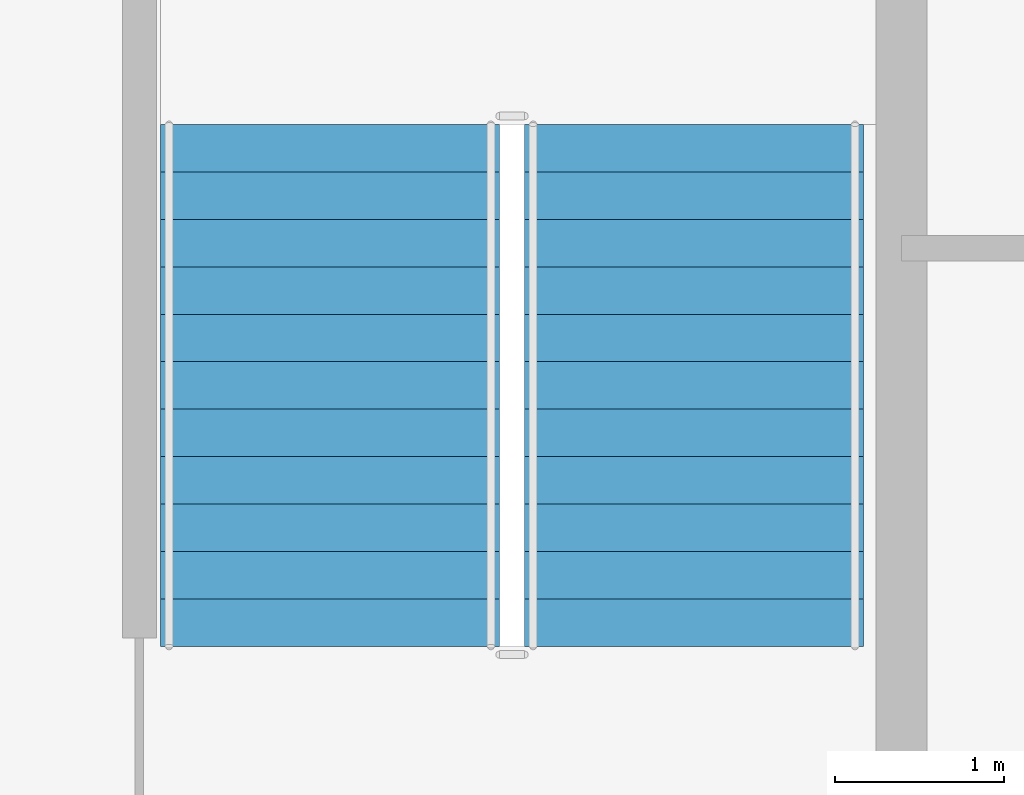
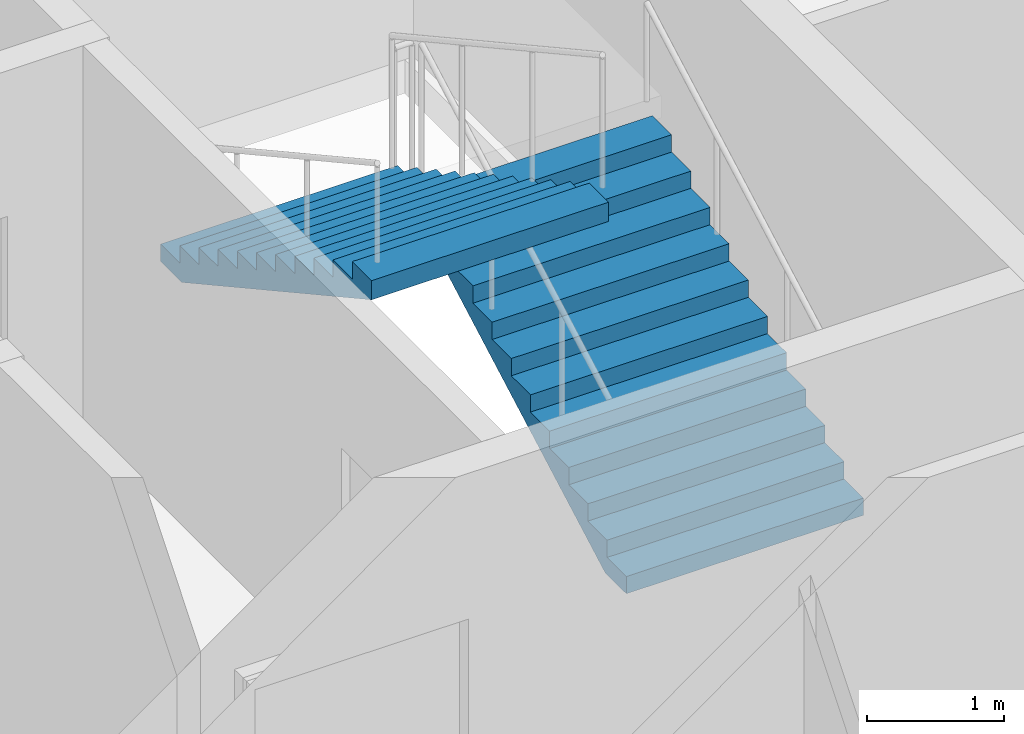
# One storey, part 11 of 13: 2 stair flights, 1 element without a shape of its own.
"""IFC4 building model written with IfcOpenShell, lengths in metres."""

from ifc_helpers import new_model, si_unit, direction, frame, origin, place, context, subcontext, project, spatial, polygons, material, type_object, element, aggregate, save


model = new_model("IFC4")

# Units and contexts
model_context = context("Model", 3, precision=1e-05, world=origin(), true_north=direction((0.0, 1.0)))
body_context = subcontext(model_context, "Body", "Model", "MODEL_VIEW")
ifc_project = project(units=[si_unit("LENGTHUNIT", "METRE"), si_unit("AREAUNIT", "SQUARE_METRE"), si_unit("VOLUMEUNIT", "CUBIC_METRE"), si_unit("PLANEANGLEUNIT", "RADIAN"), si_unit("MASSUNIT", "GRAM", prefix="KILO")], contexts=[model_context])

# Site, building, storey
site_placement = place(None, origin())
site = spatial("IfcSite", under=ifc_project, at=site_placement, CompositionType="ELEMENT")
building_placement = place(site_placement, origin())
building = spatial("IfcBuilding", under=site, at=building_placement, Name="Caravel Reach Hotel and Residences", CompositionType="ELEMENT")
storey_placement = place(building_placement, frame((0.0, 0.0, 169.10009765625)))
storey = spatial("IfcBuildingStorey", under=building, at=storey_placement, Name="L42", CompositionType="ELEMENT", Elevation=169.10009765625)

# Stair, stair flights
ifc_material_1 = material(Name="Concrete C40", Category="concrete")
stair_type = type_object("IfcStairType", Name="Core stair", PredefinedType="HALF_TURN_STAIR", material=ifc_material_1)
stair_placement = place(storey_placement, origin())
stair = element("IfcStair", 1, at=stair_placement, inside=storey, type_object=stair_type, Name="L42 Exit stair B", PredefinedType="HALF_TURN_STAIR")
ifc_material_2 = material(Name="Concrete C40", Category="concrete")
stair_flight_type = type_object("IfcStairFlightType", Name="Core stair flight", PredefinedType="STRAIGHT", material=ifc_material_2)
stair_flight_1_placement = place(storey_placement, frame((43.77490234375, 24.64990234375, 0.0), z_axis=(0.0, 0.0, 1.0), x_axis=(0.0, 1.0, 0.0)))
stair_flight_1 = element("IfcStairFlight", 2, at=stair_flight_1_placement, type_object=stair_flight_type, Name="ST-B flight 1", NumberOfRisers=12, NumberOfTreads=11, PredefinedType="STRAIGHT", RiserHeight=0.154166667, TreadLength=0.28, context=body_context, shape_type="Tessellation", body=[
    polygons([(0.3107950034306102, 1.0, 0.0), (0.3107950034306102, 0.6666666666666667, 0.0), (0.3107950034306102, 0.33333333333333337, 0.0), (0.3107950034306102, 0.0, 0.0), (0.3107950034306102, -0.33333333333333326, 0.0), (0.3107950034306102, -0.6666666666666667, 0.0), (0.3107950034306102, -1.0, 0.0), (3.081, 1.0, 1.524711087717319), (3.081, 0.6666666666666667, 1.524711087717319), (3.081, 0.33333333333333337, 1.524711087717319), (3.081, 0.0, 1.524711087717319), (3.081, -0.33333333333333326, 1.524711087717319), (3.081, -0.6666666666666667, 1.524711087717319), (3.081, -1.0, 1.524711087717319), (3.081, 1.0, 1.695833337), (3.081, 0.6666666666666667, 1.695833337), (3.081, 0.33333333333333337, 1.695833337), (3.081, 0.0, 1.695833337), (3.081, -0.33333333333333326, 1.695833337), (3.081, -0.6666666666666667, 1.695833337), (3.081, -1.0, 1.695833337), (2.8000000000000003, 1.0, 1.695833337), (2.8000000000000003, 0.6666666666666667, 1.695833337), (2.8000000000000003, 0.33333333333333337, 1.695833337), (2.8000000000000003, 0.0, 1.695833337), (2.8000000000000003, -0.33333333333333326, 1.695833337), (2.8000000000000003, -0.6666666666666667, 1.695833337), (2.8000000000000003, -1.0, 1.695833337), (2.8000000000000003, 1.0, 1.5416666700000001), (2.8000000000000003, 0.6666666666666667, 1.5416666700000001), (2.8000000000000003, 0.33333333333333337, 1.5416666700000001), (2.8000000000000003, 0.0, 1.5416666700000001), (2.8000000000000003, -0.33333333333333326, 1.5416666700000001), (2.8000000000000003, -0.6666666666666667, 1.5416666700000001), (2.8000000000000003, -1.0, 1.5416666700000001), (2.5200000000000005, 1.0, 1.5416666700000001), (2.5200000000000005, 0.6666666666666667, 1.5416666700000001), (2.5200000000000005, 0.33333333333333337, 1.5416666700000001), (2.5200000000000005, 0.0, 1.5416666700000001), (2.5200000000000005, -0.33333333333333326, 1.5416666700000001), (2.5200000000000005, -0.6666666666666667, 1.5416666700000001), (2.5200000000000005, -1.0, 1.5416666700000001), (2.5200000000000005, 1.0, 1.387500003), (2.5200000000000005, 0.6666666666666667, 1.387500003), (2.5200000000000005, 0.33333333333333337, 1.387500003), (2.5200000000000005, 0.0, 1.387500003), (2.5200000000000005, -0.33333333333333326, 1.387500003), (2.5200000000000005, -0.6666666666666667, 1.387500003), (2.5200000000000005, -1.0, 1.387500003), (2.24, 1.0, 1.387500003), (2.24, 0.6666666666666667, 1.387500003), (2.24, 0.33333333333333337, 1.387500003), (2.24, 0.0, 1.387500003), (2.24, -0.33333333333333326, 1.387500003), (2.24, -0.6666666666666667, 1.387500003), (2.24, -1.0, 1.387500003), (2.24, 1.0, 1.233333336), (2.24, 0.6666666666666667, 1.233333336), (2.24, 0.33333333333333337, 1.233333336), (2.24, 0.0, 1.233333336), (2.24, -0.33333333333333326, 1.233333336), (2.24, -0.6666666666666667, 1.233333336), (2.24, -1.0, 1.233333336), (1.9600000000000002, 1.0, 1.233333336), (1.9600000000000002, 0.6666666666666667, 1.233333336), (1.9600000000000002, 0.33333333333333337, 1.233333336), (1.9600000000000002, 0.0, 1.233333336), (1.9600000000000002, -0.33333333333333326, 1.233333336), (1.9600000000000002, -0.6666666666666667, 1.233333336), (1.9600000000000002, -1.0, 1.233333336), (1.9600000000000002, 1.0, 1.0791666690000001), (1.9600000000000002, 0.6666666666666667, 1.0791666690000001), (1.9600000000000002, 0.33333333333333337, 1.0791666690000001), (1.9600000000000002, 0.0, 1.0791666690000001), (1.9600000000000002, -0.33333333333333326, 1.0791666690000001), (1.9600000000000002, -0.6666666666666667, 1.0791666690000001), (1.9600000000000002, -1.0, 1.0791666690000001), (1.6800000000000002, 1.0, 1.0791666690000001), (1.6800000000000002, 0.6666666666666667, 1.0791666690000001), (1.6800000000000002, 0.33333333333333337, 1.0791666690000001), (1.6800000000000002, 0.0, 1.0791666690000001), (1.6800000000000002, -0.33333333333333326, 1.0791666690000001), (1.6800000000000002, -0.6666666666666667, 1.0791666690000001), (1.6800000000000002, -1.0, 1.0791666690000001), (1.6800000000000002, 1.0, 0.925000002), (1.6800000000000002, 0.6666666666666667, 0.925000002), (1.6800000000000002, 0.33333333333333337, 0.925000002), (1.6800000000000002, 0.0, 0.925000002), (1.6800000000000002, -0.33333333333333326, 0.925000002), (1.6800000000000002, -0.6666666666666667, 0.925000002), (1.6800000000000002, -1.0, 0.925000002), (1.4000000000000001, 1.0, 0.925000002), (1.4000000000000001, 0.6666666666666667, 0.925000002), (1.4000000000000001, 0.33333333333333337, 0.925000002), (1.4000000000000001, 0.0, 0.925000002), (1.4000000000000001, -0.33333333333333326, 0.925000002), (1.4000000000000001, -0.6666666666666667, 0.925000002), (1.4000000000000001, -1.0, 0.925000002), (1.4000000000000001, 1.0, 0.7708333350000001), (1.4000000000000001, 0.6666666666666667, 0.7708333350000001), (1.4000000000000001, 0.33333333333333337, 0.7708333350000001), (1.4000000000000001, 0.0, 0.7708333350000001), (1.4000000000000001, -0.33333333333333326, 0.7708333350000001), (1.4000000000000001, -0.6666666666666667, 0.7708333350000001), (1.4000000000000001, -1.0, 0.7708333350000001), (1.12, 1.0, 0.7708333350000001), (1.12, 0.6666666666666667, 0.7708333350000001), (1.12, 0.33333333333333337, 0.7708333350000001), (1.12, 0.0, 0.7708333350000001), (1.12, -0.33333333333333326, 0.7708333350000001), (1.12, -0.6666666666666667, 0.7708333350000001), (1.12, -1.0, 0.7708333350000001), (1.12, 1.0, 0.616666668), (1.12, 0.6666666666666667, 0.616666668), (1.12, 0.33333333333333337, 0.616666668), (1.12, 0.0, 0.616666668), (1.12, -0.33333333333333326, 0.616666668), (1.12, -0.6666666666666667, 0.616666668), (1.12, -1.0, 0.616666668), (0.8400000000000001, 1.0, 0.616666668), (0.8400000000000001, 0.6666666666666667, 0.616666668), (0.8400000000000001, 0.33333333333333337, 0.616666668), (0.8400000000000001, 0.0, 0.616666668), (0.8400000000000001, -0.33333333333333326, 0.616666668), (0.8400000000000001, -0.6666666666666667, 0.616666668), (0.8400000000000001, -1.0, 0.616666668), (0.8400000000000001, 1.0, 0.462500001), (0.8400000000000001, 0.6666666666666667, 0.462500001), (0.8400000000000001, 0.33333333333333337, 0.462500001), (0.8400000000000001, 0.0, 0.462500001), (0.8400000000000001, -0.33333333333333326, 0.462500001), (0.8400000000000001, -0.6666666666666667, 0.462500001), (0.8400000000000001, -1.0, 0.462500001), (0.56, 1.0, 0.462500001), (0.56, 0.6666666666666667, 0.462500001), (0.56, 0.33333333333333337, 0.462500001), (0.56, 0.0, 0.462500001), (0.56, -0.33333333333333326, 0.462500001), (0.56, -0.6666666666666667, 0.462500001), (0.56, -1.0, 0.462500001), (0.56, 1.0, 0.308333334), (0.56, 0.6666666666666667, 0.308333334), (0.56, 0.33333333333333337, 0.308333334), (0.56, 0.0, 0.308333334), (0.56, -0.33333333333333326, 0.308333334), (0.56, -0.6666666666666667, 0.308333334), (0.56, -1.0, 0.308333334), (0.28, 1.0, 0.308333334), (0.28, 0.6666666666666667, 0.308333334), (0.28, 0.33333333333333337, 0.308333334), (0.28, 0.0, 0.308333334), (0.28, -0.33333333333333326, 0.308333334), (0.28, -0.6666666666666667, 0.308333334), (0.28, -1.0, 0.308333334), (0.28, 1.0, 0.154166667), (0.28, 0.6666666666666667, 0.154166667), (0.28, 0.33333333333333337, 0.154166667), (0.28, 0.0, 0.154166667), (0.28, -0.33333333333333326, 0.154166667), (0.28, -0.6666666666666667, 0.154166667), (0.28, -1.0, 0.154166667), (-0.001, 1.0, 0.154166667), (-0.001, 0.6666666666666667, 0.154166667), (-0.001, 0.33333333333333337, 0.154166667), (-0.001, 0.0, 0.154166667), (-0.001, -0.33333333333333326, 0.154166667), (-0.001, -0.6666666666666667, 0.154166667), (-0.001, -1.0, 0.154166667), (-0.001, 1.0, 0.0), (-0.001, 0.6666666666666667, 0.0), (-0.001, 0.33333333333333337, 0.0), (-0.001, 0.0, 0.0), (-0.001, -0.33333333333333326, 0.0), (-0.001, -0.6666666666666667, 0.0), (-0.001, -1.0, 0.0)], [[[169, 162, 155, 148, 141, 134, 127, 120, 113, 106, 99, 92, 85, 78, 71, 64, 57, 50, 43, 36, 29, 22, 15, 8, 1]], [[7, 14, 21, 28, 35, 42, 49, 56, 63, 70, 77, 84, 91, 98, 105, 112, 119, 126, 133, 140, 147, 154, 161, 168, 175]], [[1, 8, 9, 2]], [[2, 9, 10, 3]], [[3, 10, 11, 4]], [[4, 11, 12, 5]], [[5, 12, 13, 6]], [[6, 13, 14, 7]], [[8, 15, 16, 9]], [[9, 16, 17, 10]], [[10, 17, 18, 11]], [[11, 18, 19, 12]], [[12, 19, 20, 13]], [[13, 20, 21, 14]], [[15, 22, 23, 16]], [[16, 23, 24, 17]], [[17, 24, 25, 18]], [[18, 25, 26, 19]], [[19, 26, 27, 20]], [[20, 27, 28, 21]], [[22, 29, 30, 23]], [[23, 30, 31, 24]], [[24, 31, 32, 25]], [[25, 32, 33, 26]], [[26, 33, 34, 27]], [[27, 34, 35, 28]], [[29, 36, 37, 30]], [[30, 37, 38, 31]], [[31, 38, 39, 32]], [[32, 39, 40, 33]], [[33, 40, 41, 34]], [[34, 41, 42, 35]], [[36, 43, 44, 37]], [[37, 44, 45, 38]], [[38, 45, 46, 39]], [[39, 46, 47, 40]], [[40, 47, 48, 41]], [[41, 48, 49, 42]], [[43, 50, 51, 44]], [[44, 51, 52, 45]], [[45, 52, 53, 46]], [[46, 53, 54, 47]], [[47, 54, 55, 48]], [[48, 55, 56, 49]], [[50, 57, 58, 51]], [[51, 58, 59, 52]], [[52, 59, 60, 53]], [[53, 60, 61, 54]], [[54, 61, 62, 55]], [[55, 62, 63, 56]], [[57, 64, 65, 58]], [[58, 65, 66, 59]], [[59, 66, 67, 60]], [[60, 67, 68, 61]], [[61, 68, 69, 62]], [[62, 69, 70, 63]], [[64, 71, 72, 65]], [[65, 72, 73, 66]], [[66, 73, 74, 67]], [[67, 74, 75, 68]], [[68, 75, 76, 69]], [[69, 76, 77, 70]], [[71, 78, 79, 72]], [[72, 79, 80, 73]], [[73, 80, 81, 74]], [[74, 81, 82, 75]], [[75, 82, 83, 76]], [[76, 83, 84, 77]], [[78, 85, 86, 79]], [[79, 86, 87, 80]], [[80, 87, 88, 81]], [[81, 88, 89, 82]], [[82, 89, 90, 83]], [[83, 90, 91, 84]], [[85, 92, 93, 86]], [[86, 93, 94, 87]], [[87, 94, 95, 88]], [[88, 95, 96, 89]], [[89, 96, 97, 90]], [[90, 97, 98, 91]], [[92, 99, 100, 93]], [[93, 100, 101, 94]], [[94, 101, 102, 95]], [[95, 102, 103, 96]], [[96, 103, 104, 97]], [[97, 104, 105, 98]], [[99, 106, 107, 100]], [[100, 107, 108, 101]], [[101, 108, 109, 102]], [[102, 109, 110, 103]], [[103, 110, 111, 104]], [[104, 111, 112, 105]], [[106, 113, 114, 107]], [[107, 114, 115, 108]], [[108, 115, 116, 109]], [[109, 116, 117, 110]], [[110, 117, 118, 111]], [[111, 118, 119, 112]], [[113, 120, 121, 114]], [[114, 121, 122, 115]], [[115, 122, 123, 116]], [[116, 123, 124, 117]], [[117, 124, 125, 118]], [[118, 125, 126, 119]], [[120, 127, 128, 121]], [[121, 128, 129, 122]], [[122, 129, 130, 123]], [[123, 130, 131, 124]], [[124, 131, 132, 125]], [[125, 132, 133, 126]], [[127, 134, 135, 128]], [[128, 135, 136, 129]], [[129, 136, 137, 130]], [[130, 137, 138, 131]], [[131, 138, 139, 132]], [[132, 139, 140, 133]], [[134, 141, 142, 135]], [[135, 142, 143, 136]], [[136, 143, 144, 137]], [[137, 144, 145, 138]], [[138, 145, 146, 139]], [[139, 146, 147, 140]], [[141, 148, 149, 142]], [[142, 149, 150, 143]], [[143, 150, 151, 144]], [[144, 151, 152, 145]], [[145, 152, 153, 146]], [[146, 153, 154, 147]], [[148, 155, 156, 149]], [[149, 156, 157, 150]], [[150, 157, 158, 151]], [[151, 158, 159, 152]], [[152, 159, 160, 153]], [[153, 160, 161, 154]], [[155, 162, 163, 156]], [[156, 163, 164, 157]], [[157, 164, 165, 158]], [[158, 165, 166, 159]], [[159, 166, 167, 160]], [[160, 167, 168, 161]], [[162, 169, 170, 163]], [[163, 170, 171, 164]], [[164, 171, 172, 165]], [[165, 172, 173, 166]], [[166, 173, 174, 167]], [[167, 174, 175, 168]], [[169, 1, 2, 170]], [[170, 2, 3, 171]], [[171, 3, 4, 172]], [[172, 4, 5, 173]], [[173, 5, 6, 174]], [[174, 6, 7, 175]]], closed=True),
])
stair_flight_2_placement = place(storey_placement, frame((41.625, 27.72998046875, 1.849853515625), z_axis=(0.0, 0.0, 1.0), x_axis=(0.0, -1.0, 0.0)))
stair_flight_2 = element("IfcStairFlight", 3, at=stair_flight_2_placement, type_object=stair_flight_type, Name="ST-B flight 2", NumberOfRisers=12, NumberOfTreads=11, PredefinedType="STRAIGHT", RiserHeight=0.154166667, TreadLength=0.28, context=body_context, shape_type="Tessellation", body=[
    polygons([(0.3107950034306102, 1.0, 0.0), (0.3107950034306102, 0.6666666666666667, 0.0), (0.3107950034306102, 0.33333333333333337, 0.0), (0.3107950034306102, 0.0, 0.0), (0.3107950034306102, -0.33333333333333326, 0.0), (0.3107950034306102, -0.6666666666666667, 0.0), (0.3107950034306102, -1.0, 0.0), (3.081, 1.0, 1.524711087717319), (3.081, 0.6666666666666667, 1.524711087717319), (3.081, 0.33333333333333337, 1.524711087717319), (3.081, 0.0, 1.524711087717319), (3.081, -0.33333333333333326, 1.524711087717319), (3.081, -0.6666666666666667, 1.524711087717319), (3.081, -1.0, 1.524711087717319), (3.081, 1.0, 1.695833337), (3.081, 0.6666666666666667, 1.695833337), (3.081, 0.33333333333333337, 1.695833337), (3.081, 0.0, 1.695833337), (3.081, -0.33333333333333326, 1.695833337), (3.081, -0.6666666666666667, 1.695833337), (3.081, -1.0, 1.695833337), (2.8000000000000003, 1.0, 1.695833337), (2.8000000000000003, 0.6666666666666667, 1.695833337), (2.8000000000000003, 0.33333333333333337, 1.695833337), (2.8000000000000003, 0.0, 1.695833337), (2.8000000000000003, -0.33333333333333326, 1.695833337), (2.8000000000000003, -0.6666666666666667, 1.695833337), (2.8000000000000003, -1.0, 1.695833337), (2.8000000000000003, 1.0, 1.5416666700000001), (2.8000000000000003, 0.6666666666666667, 1.5416666700000001), (2.8000000000000003, 0.33333333333333337, 1.5416666700000001), (2.8000000000000003, 0.0, 1.5416666700000001), (2.8000000000000003, -0.33333333333333326, 1.5416666700000001), (2.8000000000000003, -0.6666666666666667, 1.5416666700000001), (2.8000000000000003, -1.0, 1.5416666700000001), (2.5200000000000005, 1.0, 1.5416666700000001), (2.5200000000000005, 0.6666666666666667, 1.5416666700000001), (2.5200000000000005, 0.33333333333333337, 1.5416666700000001), (2.5200000000000005, 0.0, 1.5416666700000001), (2.5200000000000005, -0.33333333333333326, 1.5416666700000001), (2.5200000000000005, -0.6666666666666667, 1.5416666700000001), (2.5200000000000005, -1.0, 1.5416666700000001), (2.5200000000000005, 1.0, 1.387500003), (2.5200000000000005, 0.6666666666666667, 1.387500003), (2.5200000000000005, 0.33333333333333337, 1.387500003), (2.5200000000000005, 0.0, 1.387500003), (2.5200000000000005, -0.33333333333333326, 1.387500003), (2.5200000000000005, -0.6666666666666667, 1.387500003), (2.5200000000000005, -1.0, 1.387500003), (2.24, 1.0, 1.387500003), (2.24, 0.6666666666666667, 1.387500003), (2.24, 0.33333333333333337, 1.387500003), (2.24, 0.0, 1.387500003), (2.24, -0.33333333333333326, 1.387500003), (2.24, -0.6666666666666667, 1.387500003), (2.24, -1.0, 1.387500003), (2.24, 1.0, 1.233333336), (2.24, 0.6666666666666667, 1.233333336), (2.24, 0.33333333333333337, 1.233333336), (2.24, 0.0, 1.233333336), (2.24, -0.33333333333333326, 1.233333336), (2.24, -0.6666666666666667, 1.233333336), (2.24, -1.0, 1.233333336), (1.9600000000000002, 1.0, 1.233333336), (1.9600000000000002, 0.6666666666666667, 1.233333336), (1.9600000000000002, 0.33333333333333337, 1.233333336), (1.9600000000000002, 0.0, 1.233333336), (1.9600000000000002, -0.33333333333333326, 1.233333336), (1.9600000000000002, -0.6666666666666667, 1.233333336), (1.9600000000000002, -1.0, 1.233333336), (1.9600000000000002, 1.0, 1.0791666690000001), (1.9600000000000002, 0.6666666666666667, 1.0791666690000001), (1.9600000000000002, 0.33333333333333337, 1.0791666690000001), (1.9600000000000002, 0.0, 1.0791666690000001), (1.9600000000000002, -0.33333333333333326, 1.0791666690000001), (1.9600000000000002, -0.6666666666666667, 1.0791666690000001), (1.9600000000000002, -1.0, 1.0791666690000001), (1.6800000000000002, 1.0, 1.0791666690000001), (1.6800000000000002, 0.6666666666666667, 1.0791666690000001), (1.6800000000000002, 0.33333333333333337, 1.0791666690000001), (1.6800000000000002, 0.0, 1.0791666690000001), (1.6800000000000002, -0.33333333333333326, 1.0791666690000001), (1.6800000000000002, -0.6666666666666667, 1.0791666690000001), (1.6800000000000002, -1.0, 1.0791666690000001), (1.6800000000000002, 1.0, 0.925000002), (1.6800000000000002, 0.6666666666666667, 0.925000002), (1.6800000000000002, 0.33333333333333337, 0.925000002), (1.6800000000000002, 0.0, 0.925000002), (1.6800000000000002, -0.33333333333333326, 0.925000002), (1.6800000000000002, -0.6666666666666667, 0.925000002), (1.6800000000000002, -1.0, 0.925000002), (1.4000000000000001, 1.0, 0.925000002), (1.4000000000000001, 0.6666666666666667, 0.925000002), (1.4000000000000001, 0.33333333333333337, 0.925000002), (1.4000000000000001, 0.0, 0.925000002), (1.4000000000000001, -0.33333333333333326, 0.925000002), (1.4000000000000001, -0.6666666666666667, 0.925000002), (1.4000000000000001, -1.0, 0.925000002), (1.4000000000000001, 1.0, 0.7708333350000001), (1.4000000000000001, 0.6666666666666667, 0.7708333350000001), (1.4000000000000001, 0.33333333333333337, 0.7708333350000001), (1.4000000000000001, 0.0, 0.7708333350000001), (1.4000000000000001, -0.33333333333333326, 0.7708333350000001), (1.4000000000000001, -0.6666666666666667, 0.7708333350000001), (1.4000000000000001, -1.0, 0.7708333350000001), (1.12, 1.0, 0.7708333350000001), (1.12, 0.6666666666666667, 0.7708333350000001), (1.12, 0.33333333333333337, 0.7708333350000001), (1.12, 0.0, 0.7708333350000001), (1.12, -0.33333333333333326, 0.7708333350000001), (1.12, -0.6666666666666667, 0.7708333350000001), (1.12, -1.0, 0.7708333350000001), (1.12, 1.0, 0.616666668), (1.12, 0.6666666666666667, 0.616666668), (1.12, 0.33333333333333337, 0.616666668), (1.12, 0.0, 0.616666668), (1.12, -0.33333333333333326, 0.616666668), (1.12, -0.6666666666666667, 0.616666668), (1.12, -1.0, 0.616666668), (0.8400000000000001, 1.0, 0.616666668), (0.8400000000000001, 0.6666666666666667, 0.616666668), (0.8400000000000001, 0.33333333333333337, 0.616666668), (0.8400000000000001, 0.0, 0.616666668), (0.8400000000000001, -0.33333333333333326, 0.616666668), (0.8400000000000001, -0.6666666666666667, 0.616666668), (0.8400000000000001, -1.0, 0.616666668), (0.8400000000000001, 1.0, 0.462500001), (0.8400000000000001, 0.6666666666666667, 0.462500001), (0.8400000000000001, 0.33333333333333337, 0.462500001), (0.8400000000000001, 0.0, 0.462500001), (0.8400000000000001, -0.33333333333333326, 0.462500001), (0.8400000000000001, -0.6666666666666667, 0.462500001), (0.8400000000000001, -1.0, 0.462500001), (0.56, 1.0, 0.462500001), (0.56, 0.6666666666666667, 0.462500001), (0.56, 0.33333333333333337, 0.462500001), (0.56, 0.0, 0.462500001), (0.56, -0.33333333333333326, 0.462500001), (0.56, -0.6666666666666667, 0.462500001), (0.56, -1.0, 0.462500001), (0.56, 1.0, 0.308333334), (0.56, 0.6666666666666667, 0.308333334), (0.56, 0.33333333333333337, 0.308333334), (0.56, 0.0, 0.308333334), (0.56, -0.33333333333333326, 0.308333334), (0.56, -0.6666666666666667, 0.308333334), (0.56, -1.0, 0.308333334), (0.28, 1.0, 0.308333334), (0.28, 0.6666666666666667, 0.308333334), (0.28, 0.33333333333333337, 0.308333334), (0.28, 0.0, 0.308333334), (0.28, -0.33333333333333326, 0.308333334), (0.28, -0.6666666666666667, 0.308333334), (0.28, -1.0, 0.308333334), (0.28, 1.0, 0.154166667), (0.28, 0.6666666666666667, 0.154166667), (0.28, 0.33333333333333337, 0.154166667), (0.28, 0.0, 0.154166667), (0.28, -0.33333333333333326, 0.154166667), (0.28, -0.6666666666666667, 0.154166667), (0.28, -1.0, 0.154166667), (-0.001, 1.0, 0.154166667), (-0.001, 0.6666666666666667, 0.154166667), (-0.001, 0.33333333333333337, 0.154166667), (-0.001, 0.0, 0.154166667), (-0.001, -0.33333333333333326, 0.154166667), (-0.001, -0.6666666666666667, 0.154166667), (-0.001, -1.0, 0.154166667), (-0.001, 1.0, 0.0), (-0.001, 0.6666666666666667, 0.0), (-0.001, 0.33333333333333337, 0.0), (-0.001, 0.0, 0.0), (-0.001, -0.33333333333333326, 0.0), (-0.001, -0.6666666666666667, 0.0), (-0.001, -1.0, 0.0)], [[[169, 162, 155, 148, 141, 134, 127, 120, 113, 106, 99, 92, 85, 78, 71, 64, 57, 50, 43, 36, 29, 22, 15, 8, 1]], [[7, 14, 21, 28, 35, 42, 49, 56, 63, 70, 77, 84, 91, 98, 105, 112, 119, 126, 133, 140, 147, 154, 161, 168, 175]], [[1, 8, 9, 2]], [[2, 9, 10, 3]], [[3, 10, 11, 4]], [[4, 11, 12, 5]], [[5, 12, 13, 6]], [[6, 13, 14, 7]], [[8, 15, 16, 9]], [[9, 16, 17, 10]], [[10, 17, 18, 11]], [[11, 18, 19, 12]], [[12, 19, 20, 13]], [[13, 20, 21, 14]], [[15, 22, 23, 16]], [[16, 23, 24, 17]], [[17, 24, 25, 18]], [[18, 25, 26, 19]], [[19, 26, 27, 20]], [[20, 27, 28, 21]], [[22, 29, 30, 23]], [[23, 30, 31, 24]], [[24, 31, 32, 25]], [[25, 32, 33, 26]], [[26, 33, 34, 27]], [[27, 34, 35, 28]], [[29, 36, 37, 30]], [[30, 37, 38, 31]], [[31, 38, 39, 32]], [[32, 39, 40, 33]], [[33, 40, 41, 34]], [[34, 41, 42, 35]], [[36, 43, 44, 37]], [[37, 44, 45, 38]], [[38, 45, 46, 39]], [[39, 46, 47, 40]], [[40, 47, 48, 41]], [[41, 48, 49, 42]], [[43, 50, 51, 44]], [[44, 51, 52, 45]], [[45, 52, 53, 46]], [[46, 53, 54, 47]], [[47, 54, 55, 48]], [[48, 55, 56, 49]], [[50, 57, 58, 51]], [[51, 58, 59, 52]], [[52, 59, 60, 53]], [[53, 60, 61, 54]], [[54, 61, 62, 55]], [[55, 62, 63, 56]], [[57, 64, 65, 58]], [[58, 65, 66, 59]], [[59, 66, 67, 60]], [[60, 67, 68, 61]], [[61, 68, 69, 62]], [[62, 69, 70, 63]], [[64, 71, 72, 65]], [[65, 72, 73, 66]], [[66, 73, 74, 67]], [[67, 74, 75, 68]], [[68, 75, 76, 69]], [[69, 76, 77, 70]], [[71, 78, 79, 72]], [[72, 79, 80, 73]], [[73, 80, 81, 74]], [[74, 81, 82, 75]], [[75, 82, 83, 76]], [[76, 83, 84, 77]], [[78, 85, 86, 79]], [[79, 86, 87, 80]], [[80, 87, 88, 81]], [[81, 88, 89, 82]], [[82, 89, 90, 83]], [[83, 90, 91, 84]], [[85, 92, 93, 86]], [[86, 93, 94, 87]], [[87, 94, 95, 88]], [[88, 95, 96, 89]], [[89, 96, 97, 90]], [[90, 97, 98, 91]], [[92, 99, 100, 93]], [[93, 100, 101, 94]], [[94, 101, 102, 95]], [[95, 102, 103, 96]], [[96, 103, 104, 97]], [[97, 104, 105, 98]], [[99, 106, 107, 100]], [[100, 107, 108, 101]], [[101, 108, 109, 102]], [[102, 109, 110, 103]], [[103, 110, 111, 104]], [[104, 111, 112, 105]], [[106, 113, 114, 107]], [[107, 114, 115, 108]], [[108, 115, 116, 109]], [[109, 116, 117, 110]], [[110, 117, 118, 111]], [[111, 118, 119, 112]], [[113, 120, 121, 114]], [[114, 121, 122, 115]], [[115, 122, 123, 116]], [[116, 123, 124, 117]], [[117, 124, 125, 118]], [[118, 125, 126, 119]], [[120, 127, 128, 121]], [[121, 128, 129, 122]], [[122, 129, 130, 123]], [[123, 130, 131, 124]], [[124, 131, 132, 125]], [[125, 132, 133, 126]], [[127, 134, 135, 128]], [[128, 135, 136, 129]], [[129, 136, 137, 130]], [[130, 137, 138, 131]], [[131, 138, 139, 132]], [[132, 139, 140, 133]], [[134, 141, 142, 135]], [[135, 142, 143, 136]], [[136, 143, 144, 137]], [[137, 144, 145, 138]], [[138, 145, 146, 139]], [[139, 146, 147, 140]], [[141, 148, 149, 142]], [[142, 149, 150, 143]], [[143, 150, 151, 144]], [[144, 151, 152, 145]], [[145, 152, 153, 146]], [[146, 153, 154, 147]], [[148, 155, 156, 149]], [[149, 156, 157, 150]], [[150, 157, 158, 151]], [[151, 158, 159, 152]], [[152, 159, 160, 153]], [[153, 160, 161, 154]], [[155, 162, 163, 156]], [[156, 163, 164, 157]], [[157, 164, 165, 158]], [[158, 165, 166, 159]], [[159, 166, 167, 160]], [[160, 167, 168, 161]], [[162, 169, 170, 163]], [[163, 170, 171, 164]], [[164, 171, 172, 165]], [[165, 172, 173, 166]], [[166, 173, 174, 167]], [[167, 174, 175, 168]], [[169, 1, 2, 170]], [[170, 2, 3, 171]], [[171, 3, 4, 172]], [[172, 4, 5, 173]], [[173, 5, 6, 174]], [[174, 6, 7, 175]]], closed=True),
])
aggregate(stair, [stair_flight_1, stair_flight_2])

save(model, "model.ifc")
